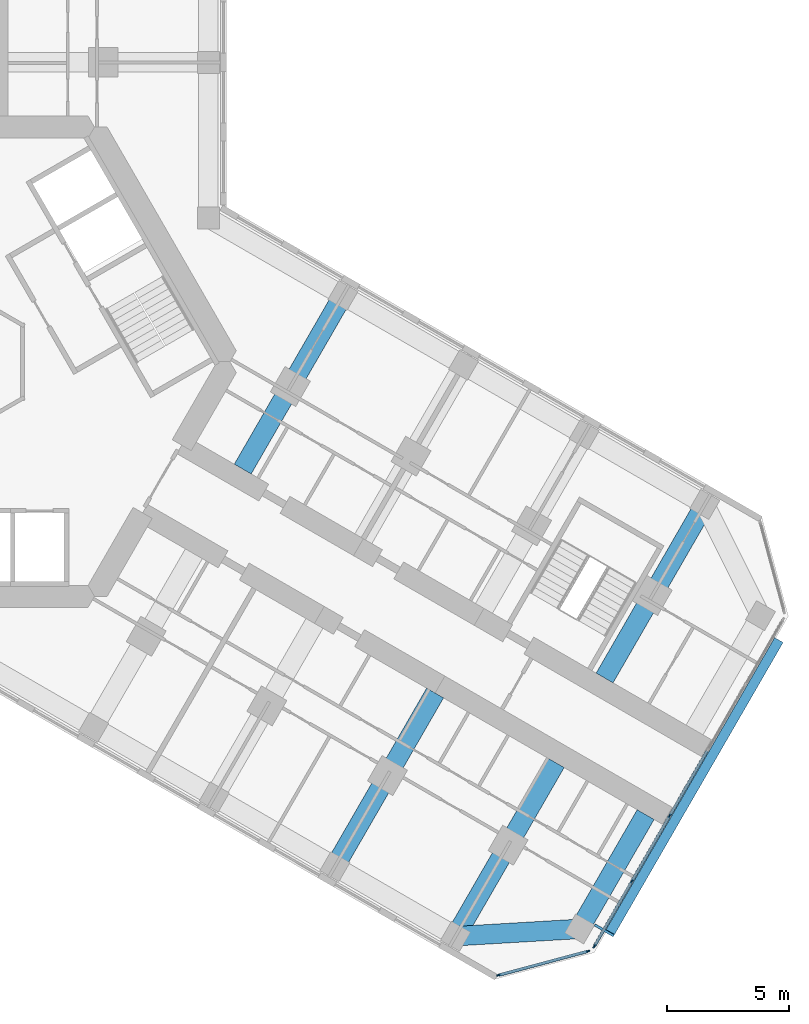
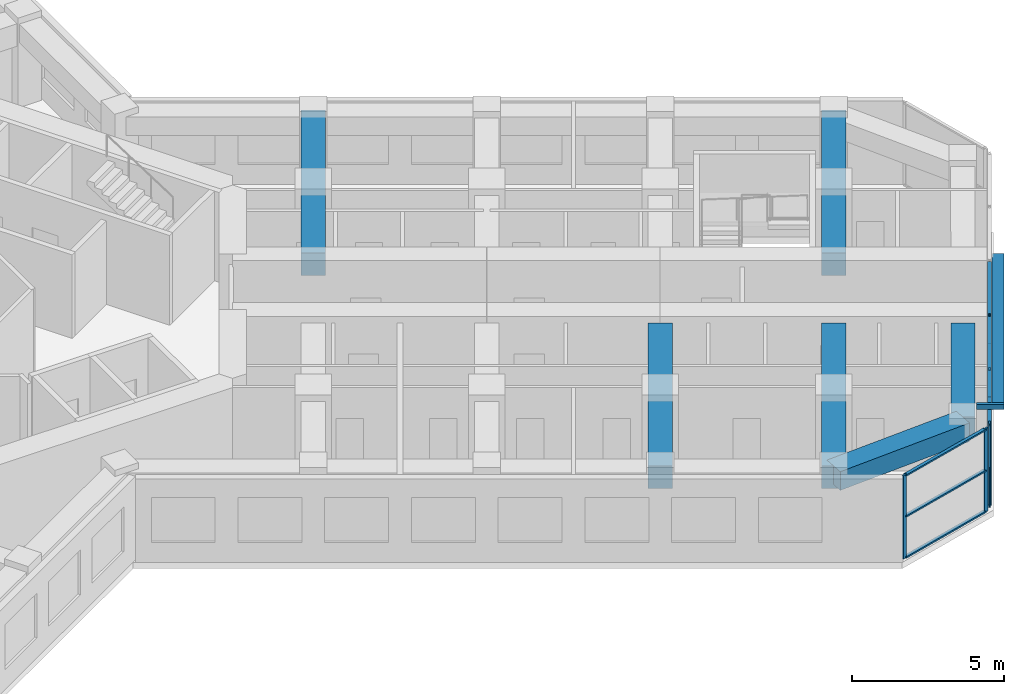
# One storey, part 5 of 19: 16 members, 6 beams, 2 elements without a shape of their own.
"""IFC4 building model written with IfcOpenShell, lengths in metres."""

from ifc_helpers import new_model, si_unit, direction, frame, origin, origin_2d, place, context, subcontext, project, spatial, rectangle, hollow_rectangle, extrude, material, material_profile, profile_set, type_object, element, aggregate, save


model = new_model("IFC4")

# Units and contexts
model_context = context("Model", 3, precision=1e-05, world=origin(), true_north=direction((0.0, 1.0)))
body_context = subcontext(model_context, "Body", "Model", "MODEL_VIEW")
ifc_project = project(units=[si_unit("LENGTHUNIT", "METRE"), si_unit("AREAUNIT", "SQUARE_METRE"), si_unit("VOLUMEUNIT", "CUBIC_METRE"), si_unit("PLANEANGLEUNIT", "RADIAN"), si_unit("MASSUNIT", "GRAM", prefix="KILO")], contexts=[model_context])

# Site, building, storey
site_placement = place(None, origin())
site = spatial("IfcSite", under=ifc_project, at=site_placement, CompositionType="ELEMENT")
building_placement = place(site_placement, origin())
building = spatial("IfcBuilding", under=site, at=building_placement, Name="Kosmar Iwan School Tower", CompositionType="ELEMENT")
storey_placement = place(building_placement, frame((0.0, 0.0, 158.0)))
storey = spatial("IfcBuildingStorey", under=building, at=storey_placement, Name="L39", CompositionType="ELEMENT", Elevation=158.0)

# Members
ifc_material_1 = material(Name="Black anodised aluminium", Category="aluminium")
ifc_material_profile_1 = material_profile(ifc_material_1, rectangle(XDim=0.10009765625, YDim=0.39990234375, at=origin_2d()), Name="FIN 100x400")
ifc_profile_set_1 = profile_set([ifc_material_profile_1], Name="Black anodised aluminium")
member_type_1 = type_object("IfcMemberType", Name="Diagonal fin 100x400", PredefinedType="USERDEFINED", material=ifc_profile_set_1)
member_1_placement = place(storey_placement, frame((33.54345703125, -11.40087890625, -0.14990234375), z_axis=(-0.483795538458, -0.837973939202, 0.252470897702), x_axis=(0.126233699175, 0.218647221293, 0.967604488318)))
element("IfcMember", 1, at=member_1_placement, inside=storey, type_object=member_type_1, Name="Diagonal fin L39-F03", ObjectType="FIN", PredefinedType="USERDEFINED", context=body_context, shape_type="SweptSolid", body=[
    extrude(rectangle(XDim=0.10009765625, YDim=0.39990234375, at=origin_2d()), origin(), (0.0, 0.0, 1.0), 14.258544921875),
])
ifc_material_2 = material(Name="Steel S355", Category="steel")
ifc_material_profile_2 = material_profile(ifc_material_2, hollow_rectangle(XDim=0.10009765625, YDim=0.199951171875, WallThickness=0.008056640625, at=origin_2d()), Name="RHS 200x100x8")
ifc_profile_set_2 = profile_set([ifc_material_profile_2], Name="Steel S355")
member_type_2 = type_object("IfcMemberType", Name="Fin bracket RHS 200x100", PredefinedType="USERDEFINED", material=ifc_profile_set_2)
member_2_placement = place(storey_placement, frame((26.01318359375, -23.0439453125, 3.47509765625), z_axis=(0.866013897511, -0.50001992892, 0.0), x_axis=(0.50001992892, 0.866013897511, 0.0)))
element("IfcMember", 2, at=member_2_placement, inside=storey, type_object=member_type_2, Name="Fin bracket L40", ObjectType="FIN BRACKET", PredefinedType="USERDEFINED", context=body_context, shape_type="SweptSolid", body=[
    extrude(hollow_rectangle(XDim=0.10009765625, YDim=0.199951171875, WallThickness=0.008056640625, at=origin_2d()), origin(), (0.0, 0.0, 1.0), 0.89990234375),
])

# Curtain wall, members
ifc_material_3 = material(Name="Dark glass in black aluminium frame", Category="aluminium")
curtain_wall_type_1 = type_object("IfcCurtainWallType", Name="Chamfer curtain wall dark glass", PredefinedType="USERDEFINED", material=ifc_material_3)
curtain_wall_1_placement = place(storey_placement, origin())
curtain_wall_1 = element("IfcCurtainWall", 3, at=curtain_wall_1_placement, inside=storey, type_object=curtain_wall_type_1, Name="Curtain wall L39-F02", ObjectType="FACETED CURTAIN WALL", PredefinedType="USERDEFINED")
ifc_material_4 = material(Name="Black anodised aluminium", Category="aluminium")
ifc_material_profile_3 = material_profile(ifc_material_4, rectangle(XDim=0.06005859375, YDim=0.159912109375, at=origin_2d()), Name="MULLION 60x160")
ifc_profile_set_3 = profile_set([ifc_material_profile_3], Name="Black anodised aluminium")
member_type_3 = type_object("IfcMemberType", Name="Mullion 60x160", PredefinedType="MULLION", material=ifc_profile_set_3)
member_3_placement = place(storey_placement, frame((22.0830078125, -25.102294921875, 0.0), z_axis=(0.0, 0.0, 1.0), x_axis=(-0.258818861462, 0.965925875495, 0.0)))
member_3 = element("IfcMember", 4, at=member_3_placement, type_object=member_type_3, Name="CW2 mullion 1", PredefinedType="MULLION", context=body_context, shape_type="SweptSolid", body=[
    extrude(rectangle(XDim=0.06005859375, YDim=0.159912109375, at=origin_2d()), origin(), (0.0, 0.0, 1.0), 3.35009765625),
])
member_4_placement = place(storey_placement, frame((25.733154296875, -24.124267578125, 0.0), z_axis=(0.0, 0.0, 1.0), x_axis=(-0.258818861462, 0.965925875495, 0.0)))
member_4 = element("IfcMember", 5, at=member_4_placement, type_object=member_type_3, Name="CW2 mullion 2", PredefinedType="MULLION", context=body_context, shape_type="SweptSolid", body=[
    extrude(rectangle(XDim=0.06005859375, YDim=0.159912109375, at=origin_2d()), origin(), (0.0, 0.0, 1.0), 3.35009765625),
])

ifc_material_5 = material(Name="Dark glass in black aluminium frame", Category="aluminium")
curtain_wall_type_2 = type_object("IfcCurtainWallType", Name="Tower curtain wall dark glass", PredefinedType="USERDEFINED", material=ifc_material_5)
curtain_wall_2_placement = place(storey_placement, origin())
curtain_wall_2 = element("IfcCurtainWall", 6, at=curtain_wall_2_placement, inside=storey, type_object=curtain_wall_type_2, Name="Curtain wall L39-F03", ObjectType="UNITISED CURTAIN WALL", PredefinedType="USERDEFINED")
member_5_placement = place(storey_placement, frame((25.9970703125, -23.921630859375, 0.0), z_axis=(0.0, 0.0, 1.0), x_axis=(-0.866025405329, 0.499999997325, 0.0)))
member_5 = element("IfcMember", 7, at=member_5_placement, type_object=member_type_3, Name="CW1 mullion 1", PredefinedType="MULLION", context=body_context, shape_type="SweptSolid", body=[
    extrude(rectangle(XDim=0.06005859375, YDim=0.159912109375, at=origin_2d()), origin(), (0.0, 0.0, 1.0), 3.35009765625),
])
member_6_placement = place(storey_placement, frame((27.53173828125, -21.263671875, 0.0), z_axis=(0.0, 0.0, 1.0), x_axis=(-0.866025405329, 0.499999997325, 0.0)))
member_6 = element("IfcMember", 8, at=member_6_placement, type_object=member_type_3, Name="CW1 mullion 2", PredefinedType="MULLION", context=body_context, shape_type="SweptSolid", body=[
    extrude(rectangle(XDim=0.06005859375, YDim=0.159912109375, at=origin_2d()), origin(), (0.0, 0.0, 1.0), 3.35009765625),
])
member_7_placement = place(storey_placement, frame((29.081298828125, -18.57958984375, 0.0), z_axis=(0.0, 0.0, 1.0), x_axis=(-0.866025405329, 0.499999997325, 0.0)))
member_7 = element("IfcMember", 9, at=member_7_placement, type_object=member_type_3, Name="CW1 mullion 3", PredefinedType="MULLION", context=body_context, shape_type="SweptSolid", body=[
    extrude(rectangle(XDim=0.06005859375, YDim=0.159912109375, at=origin_2d()), origin(), (0.0, 0.0, 1.0), 3.35009765625),
])

# Beams
ifc_material_6 = material(Name="Concrete C50/60", Category="concrete")
ifc_material_profile_4 = material_profile(ifc_material_6, rectangle(XDim=0.800048828125, YDim=0.75, at=origin_2d()), Name="RC 800x750")
ifc_profile_set_4 = profile_set([ifc_material_profile_4], Name="Concrete C50/60")
beam_type_1 = type_object("IfcBeamType", Name="RC tip beam 800x750", PredefinedType="BEAM", material=ifc_profile_set_4)
beam_1_placement = place(storey_placement, frame((20.31787109375, -23.508544921875, 2.97509765625), z_axis=(0.998260616478, 0.058955420358, 0.0), x_axis=(-0.058955420358, 0.998260616478, 0.0)))
element("IfcBeam", 10, at=beam_1_placement, inside=storey, type_object=beam_type_1, Name="Tip beam CR", PredefinedType="BEAM", context=body_context, shape_type="SweptSolid", body=[
    extrude(rectangle(XDim=0.800048828125, YDim=0.75, at=origin_2d()), origin(), (0.0, 0.0, 1.0), 5.08935546875),
])
beam_2_placement = place(storey_placement, frame((25.3984375, -23.20849609375, 2.97509765625), z_axis=(0.499995103361, 0.866028230842, 0.0), x_axis=(-0.866028230842, 0.499995103361, 0.0)))
element("IfcBeam", 11, at=beam_2_placement, inside=storey, type_object=beam_type_1, Name="Tip beam CR to corridor wall", PredefinedType="BEAM", context=body_context, shape_type="SweptSolid", body=[
    extrude(rectangle(XDim=0.800048828125, YDim=0.75, at=origin_2d()), origin(), (0.0, 0.0, 1.0), 5.39990234375),
])
ifc_material_7 = material(Name="Concrete C50/60", Category="concrete")
ifc_material_profile_5 = material_profile(ifc_material_7, rectangle(XDim=0.800048828125, YDim=0.89990234375, at=origin_2d()), Name="RC 800x900")
ifc_profile_set_5 = profile_set([ifc_material_profile_5], Name="Concrete C50/60")
beam_type_2 = type_object("IfcBeamType", Name="RC transverse beam 800x900", PredefinedType="BEAM", material=ifc_profile_set_5)
for number, where, z_axis, x_axis, name in (
    (12, (15.708740234375, 2.70849609375, 2.89990234375), (-0.499978459874, -0.866037839625, 0.0), (0.866037839625, -0.499978459874, 0.0), "Transverse beam CL1"),
    (13, (30.517822265625, -5.841552734375, 2.89990234375), (-0.500013681986, -0.866017504342, 0.0), (0.866017504342, -0.500013681986, 0.0), "Transverse beam CL4"),
    (14, (15.381591796875, -20.658447265625, 2.89990234375), (0.49999135188, 0.866030396721, 0.0), (-0.866030396721, 0.49999135188, 0.0), "Transverse beam CR3"),
    (15, (20.31787109375, -23.508544921875, 2.89990234375), (0.499978459874, 0.866037839625, 0.0), (-0.866037839625, 0.499978459874, 0.0), "Transverse beam CR4"),
):
    element("IfcBeam", number, at=place(storey_placement, frame(where, z_axis=z_axis, x_axis=x_axis)), inside=storey, type_object=beam_type_2, Name=name, PredefinedType="BEAM", context=body_context, shape_type="SweptSolid", body=[
        extrude(rectangle(XDim=0.800048828125, YDim=0.89990234375, at=origin_2d()), origin(), (0.0, 0.0, 1.0), 8.199951171875),
    ])

# Member
ifc_material_8 = material(Name="Black anodised aluminium", Category="aluminium")
ifc_material_profile_6 = material_profile(ifc_material_8, rectangle(XDim=0.1201171875, YDim=0.06005859375, at=origin_2d()), Name="TRANSOM 60x120")
ifc_profile_set_6 = profile_set([ifc_material_profile_6], Name="Black anodised aluminium")
member_type_4 = type_object("IfcMemberType", Name="Transom 60x120", PredefinedType="USERDEFINED", material=ifc_profile_set_6)
member_8_placement = place(storey_placement, frame((22.11181640625, -25.094482421875, 0.030029296875), z_axis=(0.965923731726, 0.258826861991, 0.0), x_axis=(-0.258826861991, 0.965923731726, 0.0)))
member_8 = element("IfcMember", 16, at=member_8_placement, type_object=member_type_4, Name="CW2 transom 1.1", ObjectType="TRANSOM", PredefinedType="USERDEFINED", context=body_context, shape_type="SweptSolid", body=[
    extrude(rectangle(XDim=0.1201171875, YDim=0.06005859375, at=origin_2d()), origin(), (0.0, 0.0, 1.0), 3.71923828125),
])

member_9_placement = place(storey_placement, frame((22.11181640625, -25.094482421875, 1.675048828125), z_axis=(0.965923731726, 0.258826861991, 0.0), x_axis=(-0.258826861991, 0.965923731726, 0.0)))
member_9 = element("IfcMember", 17, at=member_9_placement, type_object=member_type_4, Name="CW2 transom 1.2", ObjectType="TRANSOM", PredefinedType="USERDEFINED", context=body_context, shape_type="SweptSolid", body=[
    extrude(rectangle(XDim=0.1201171875, YDim=0.06005859375, at=origin_2d()), origin(), (0.0, 0.0, 1.0), 3.71923828125),
])

member_10_placement = place(storey_placement, frame((22.11181640625, -25.094482421875, 3.320068359375), z_axis=(0.965923731726, 0.258826861991, 0.0), x_axis=(-0.258826861991, 0.965923731726, 0.0)))
member_10 = element("IfcMember", 18, at=member_10_placement, type_object=member_type_4, Name="CW2 transom 1.3", ObjectType="TRANSOM", PredefinedType="USERDEFINED", context=body_context, shape_type="SweptSolid", body=[
    extrude(rectangle(XDim=0.1201171875, YDim=0.06005859375, at=origin_2d()), origin(), (0.0, 0.0, 1.0), 3.71923828125),
])

aggregate(curtain_wall_1, [member_3, member_4, member_8, member_9, member_10])

member_11_placement = place(storey_placement, frame((26.01220703125, -23.895751953125, 0.030029296875), z_axis=(0.499986971506, 0.866032925658, 0.0), x_axis=(-0.866032925658, 0.499986971506, 0.0)))
member_11 = element("IfcMember", 19, at=member_11_placement, type_object=member_type_4, Name="CW1 transom 1.1", ObjectType="TRANSOM", PredefinedType="USERDEFINED", context=body_context, shape_type="SweptSolid", body=[
    extrude(rectangle(XDim=0.1201171875, YDim=0.06005859375, at=origin_2d()), origin(), (0.0, 0.0, 1.0), 3.00927734375),
])

member_12_placement = place(storey_placement, frame((26.01220703125, -23.895751953125, 3.320068359375), z_axis=(0.499986971506, 0.866032925658, 0.0), x_axis=(-0.866032925658, 0.499986971506, 0.0)))
member_12 = element("IfcMember", 20, at=member_12_placement, type_object=member_type_4, Name="CW1 transom 1.2", ObjectType="TRANSOM", PredefinedType="USERDEFINED", context=body_context, shape_type="SweptSolid", body=[
    extrude(rectangle(XDim=0.1201171875, YDim=0.06005859375, at=origin_2d()), origin(), (0.0, 0.0, 1.0), 3.00927734375),
])

member_13_placement = place(storey_placement, frame((27.546875, -21.237548828125, 0.030029296875), z_axis=(0.499975102327, 0.866039777986, 0.0), x_axis=(-0.866039777986, 0.499975102327, 0.0)))
member_13 = element("IfcMember", 21, at=member_13_placement, type_object=member_type_4, Name="CW1 transom 2.1", ObjectType="TRANSOM", PredefinedType="USERDEFINED", context=body_context, shape_type="SweptSolid", body=[
    extrude(rectangle(XDim=0.1201171875, YDim=0.06005859375, at=origin_2d()), origin(), (0.0, 0.0, 1.0), 3.039306640625),
])

member_14_placement = place(storey_placement, frame((27.546875, -21.237548828125, 3.320068359375), z_axis=(0.499975102327, 0.866039777986, 0.0), x_axis=(-0.866039777986, 0.499975102327, 0.0)))
member_14 = element("IfcMember", 22, at=member_14_placement, type_object=member_type_4, Name="CW1 transom 2.2", ObjectType="TRANSOM", PredefinedType="USERDEFINED", context=body_context, shape_type="SweptSolid", body=[
    extrude(rectangle(XDim=0.1201171875, YDim=0.06005859375, at=origin_2d()), origin(), (0.0, 0.0, 1.0), 3.039306640625),
])

member_15_placement = place(storey_placement, frame((29.096435546875, -18.553466796875, 0.030029296875), z_axis=(0.499975102327, 0.866039777986, 0.0), x_axis=(-0.866039777986, 0.499975102327, 0.0)))
member_15 = element("IfcMember", 23, at=member_15_placement, type_object=member_type_4, Name="CW1 transom 3.1", ObjectType="TRANSOM", PredefinedType="USERDEFINED", context=body_context, shape_type="SweptSolid", body=[
    extrude(rectangle(XDim=0.1201171875, YDim=0.06005859375, at=origin_2d()), origin(), (0.0, 0.0, 1.0), 3.039306640625),
])

member_16_placement = place(storey_placement, frame((29.096435546875, -18.553466796875, 3.320068359375), z_axis=(0.499975102327, 0.866039777986, 0.0), x_axis=(-0.866039777986, 0.499975102327, 0.0)))
member_16 = element("IfcMember", 24, at=member_16_placement, type_object=member_type_4, Name="CW1 transom 3.2", ObjectType="TRANSOM", PredefinedType="USERDEFINED", context=body_context, shape_type="SweptSolid", body=[
    extrude(rectangle(XDim=0.1201171875, YDim=0.06005859375, at=origin_2d()), origin(), (0.0, 0.0, 1.0), 3.039306640625),
])

aggregate(curtain_wall_2, [member_5, member_6, member_7, member_11, member_12, member_13, member_14, member_15, member_16])

save(model, "model.ifc")
